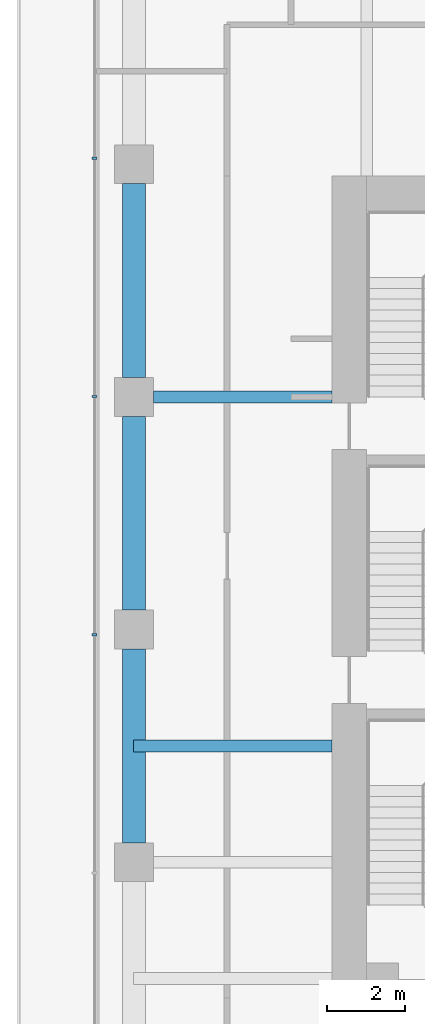
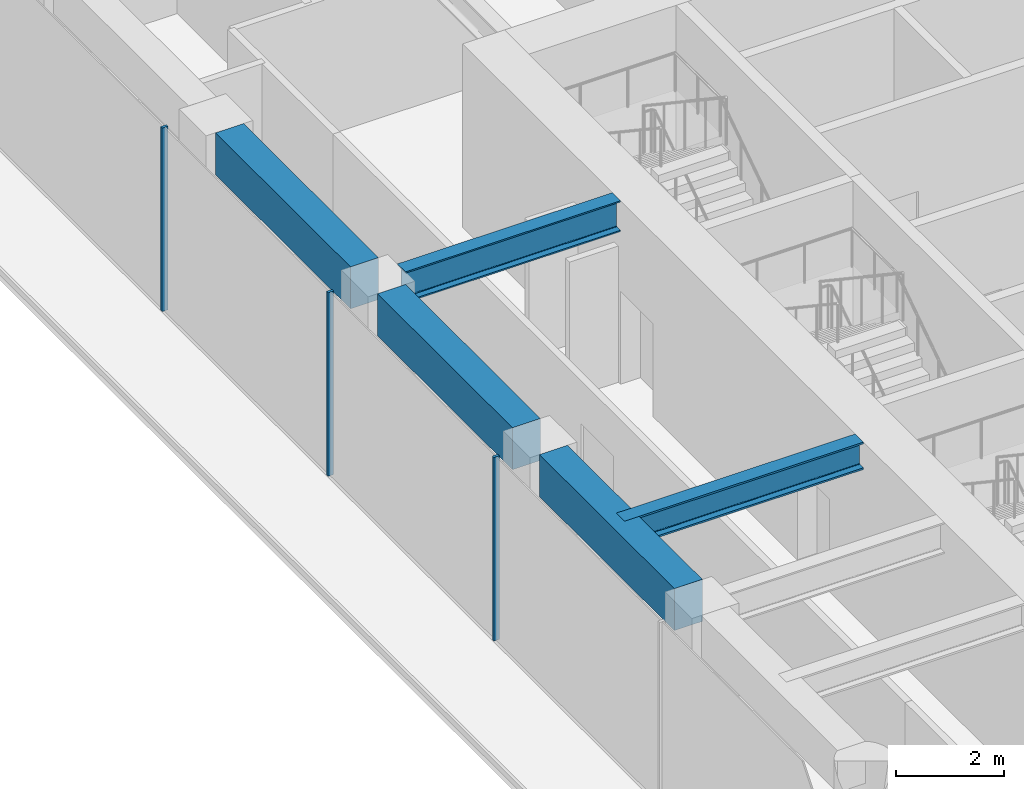
# One storey, part 4 of 24: 5 beams, 3 members, 1 element without a shape of its own.
"""IFC4 building model written with IfcOpenShell, lengths in metres."""

import ifcopenshell
import ifcopenshell.guid

model = None  # the IFC model being written
_history = None  # IfcOwnerHistory: only IFC2X3 demands one
_inside = {}  # id of a spatial element -> (the spatial element, [elements in it])
_under = {}  # id of a project, library or spatial element -> (it, [spatial elements below it])
_declared = {}  # id of a project -> (the project, [libraries it declares])
_typed = {}  # id of a type object -> (the type object, [elements of that type])
_made_of = {}  # id of a material, layer set ... -> (it, [elements and type objects made of it])


def new_model(schema):
    """Start an empty IFC model of exactly this schema.

    Asked for "IFC4X3", IfcOpenShell would pick the latest addendum, in which some entities
    have other attributes; the version numbers below select the first issue.
    IFC2X3 requires an IfcOwnerHistory on every rooted entity: one is made here for all.
    """
    global model, _history
    if schema == "IFC4X3":
        model = ifcopenshell.file(schema_version=(4, 3, 0, 0))
    else:
        model = ifcopenshell.file(schema=schema)
    _inside.clear()
    _under.clear()
    _declared.clear()
    _typed.clear()
    _made_of.clear()
    _history = None
    if model.schema == "IFC2X3":
        org = make("IfcOrganization", Name="unknown")
        user = make(
            "IfcPersonAndOrganization",
            ThePerson=make("IfcPerson", FamilyName="unknown"),
            TheOrganization=org,
        )
        app = make(
            "IfcApplication",
            ApplicationDeveloper=org,
            Version="unknown",
            ApplicationFullName="unknown",
            ApplicationIdentifier="unknown",
        )
        _history = make(
            "IfcOwnerHistory",
            OwningUser=user,
            OwningApplication=app,
            ChangeAction="ADDED",
            CreationDate=0,
        )
    return model


def make(cls, **values):
    """One entity of the class cls with the attributes given. An attribute that is None is left unset."""
    return model.create_entity(
        cls, **{name: value for name, value in values.items() if value is not None}
    )


def rooted(cls, **values):
    """An entity with a GlobalId (a new one), such as an element, a storey or a relation."""
    return make(cls, GlobalId=ifcopenshell.guid.new(), OwnerHistory=_history, **values)


def si_unit(unit_type, name, prefix=None):
    """IfcSIUnit, for example si_unit("LENGTHUNIT", "METRE", prefix="MILLI")."""
    return make("IfcSIUnit", UnitType=unit_type, Prefix=prefix, Name=name)


def assignment(units):
    """IfcUnitAssignment: the units of a project."""
    return None if units is None else make("IfcUnitAssignment", Units=units)


def point(xyz):
    """IfcCartesianPoint."""
    return None if xyz is None else make("IfcCartesianPoint", Coordinates=xyz)


def direction(xyz):
    """IfcDirection."""
    return None if xyz is None else make("IfcDirection", DirectionRatios=xyz)


def frame(location, z_axis=None, x_axis=None):
    """IfcAxis2Placement3D, a coordinate frame: its origin and axes. An axis left out is left unset."""
    return make(
        "IfcAxis2Placement3D",
        Location=point(location),
        Axis=direction(z_axis),
        RefDirection=direction(x_axis),
    )


def frame_2d(location, x_axis=None):
    """IfcAxis2Placement2D, a coordinate frame in the plane: its origin and x axis."""
    return make(
        "IfcAxis2Placement2D", Location=point(location), RefDirection=direction(x_axis)
    )


def origin():
    """The frame at (0, 0, 0) with its axes left unset."""
    return frame((0.0, 0.0, 0.0))


def origin_2d():
    """The frame at (0, 0) in the plane with its x axis left unset."""
    return frame_2d((0.0, 0.0))


def place(relative_to, where):
    """IfcLocalPlacement: puts the frame where relative to a parent placement (None: the world)."""
    return make(
        "IfcLocalPlacement", PlacementRelTo=relative_to, RelativePlacement=where
    )


def context(
    kind, dimensions, precision=None, world=None, true_north=None, identifier=None
):
    """IfcGeometricRepresentationContext, for example the 3D "Model" context."""
    return make(
        "IfcGeometricRepresentationContext",
        ContextIdentifier=identifier,
        ContextType=kind,
        CoordinateSpaceDimension=dimensions,
        Precision=precision,
        WorldCoordinateSystem=world,
        TrueNorth=true_north,
    )


def subcontext(parent, identifier, kind, view, scale=None):
    """IfcGeometricRepresentationSubContext, for example "Body" below "Model"."""
    return make(
        "IfcGeometricRepresentationSubContext",
        ContextIdentifier=identifier,
        ContextType=kind,
        ParentContext=parent,
        TargetScale=scale,
        TargetView=view,
    )


def project(units=None, contexts=None):
    """IfcProject with its units and contexts."""
    return rooted(
        "IfcProject",
        Name="project",
        RepresentationContexts=contexts,
        UnitsInContext=assignment(units),
    )


def spatial(cls, under=None, at=None, **own):
    """A site, building, storey or space (cls), placed at a placement, below another one or the project."""
    s = rooted(cls, ObjectPlacement=at, **own)
    if under is not None:
        _under.setdefault(under.id(), (under, []))[1].append(s)
    return s


def profile(cls, at=None, kind="AREA", **sizes):
    """A parametric profile (cls). Its sizes go by their IFC names, for example OverallWidth=200.0."""
    return make(cls, ProfileType=kind, Position=at, **sizes)


def rectangle(**sizes):
    """IfcRectangleProfileDef."""
    return profile("IfcRectangleProfileDef", **sizes)


def i_section(**sizes):
    """IfcIShapeProfileDef."""
    return profile("IfcIShapeProfileDef", **sizes)


def extrude(swept, where, along, depth):
    """IfcExtrudedAreaSolid: the profile swept, set in the frame where, extruded along a direction by depth."""
    return make(
        "IfcExtrudedAreaSolid",
        SweptArea=swept,
        Position=where,
        ExtrudedDirection=direction(along),
        Depth=depth,
    )


def shape(context_of_items, identifier, shape_type, items):
    """IfcShapeRepresentation: the items that make up one representation, for example the "Body"."""
    return make(
        "IfcShapeRepresentation",
        ContextOfItems=context_of_items,
        RepresentationIdentifier=identifier,
        RepresentationType=shape_type,
        Items=items,
    )


def material(Name=None, Category=None):
    """IfcMaterial."""
    return make("IfcMaterial", Name=Name, Category=Category)


def layer(
    of_material, thickness, ventilated=None, Name=None, Category=None, Priority=None
):
    """IfcMaterialLayer: one layer of a wall or slab, of a material (None: an air gap)."""
    return make(
        "IfcMaterialLayer",
        Material=of_material,
        LayerThickness=thickness,
        IsVentilated=ventilated,
        Name=Name,
        Category=Category,
        Priority=Priority,
    )


def layer_set(layers, Name=None):
    """IfcMaterialLayerSet."""
    return make("IfcMaterialLayerSet", MaterialLayers=layers, LayerSetName=Name)


def material_profile(
    of_material, cross_section, Name=None, Category=None, Priority=None
):
    """IfcMaterialProfile: a cross section and its material."""
    return make(
        "IfcMaterialProfile",
        Name=Name,
        Material=of_material,
        Profile=cross_section,
        Priority=Priority,
        Category=Category,
    )


def profile_set(profiles, Name=None, composite=None):
    """IfcMaterialProfileSet."""
    return make(
        "IfcMaterialProfileSet",
        Name=Name,
        MaterialProfiles=profiles,
        CompositeProfile=composite,
    )


def made_of(thing, what):
    """Note that an element or type object is made of a material, layer set ...; save() writes the relation."""
    if what is not None:
        _made_of.setdefault(what.id(), (what, []))[1].append(thing)
    return thing


def type_object(cls, material=None, **own):
    """A type object (cls), such as IfcWallType, which elements share."""
    return made_of(rooted(cls, **own), material)


def element(
    cls,
    number,
    at=None,
    inside=None,
    cuts=None,
    type_object=None,
    material=None,
    context=None,
    identifier="Body",
    shape_type=None,
    held_by="IfcProductDefinitionShape",
    body=None,
    shapes=None,
    **own,
):
    """One element of the class cls, such as IfcWall. Its Tag is "e" and its number.

    at: its placement. inside: the storey or other place that contains it. cuts: it is an
    opening in that element (IfcRelVoidsElement). A single representation is given by context,
    identifier, shape_type and body (its items); several are given by shapes. held_by: the class
    of the entity that holds the representations. save() writes the other relations.
    """
    e = rooted(cls, Tag="e%d" % number, ObjectPlacement=at, **own)
    if body is not None:
        shapes = [shape(context, identifier, shape_type, body)]
    if shapes is not None:
        e.Representation = make(held_by, Representations=shapes)
    if inside is not None:
        _inside.setdefault(inside.id(), (inside, []))[1].append(e)
    if cuts is not None:
        rooted(
            "IfcRelVoidsElement", RelatingBuildingElement=cuts, RelatedOpeningElement=e
        )
    if type_object is not None:
        _typed.setdefault(type_object.id(), (type_object, []))[1].append(e)
    return made_of(e, material)


def aggregate(whole, parts):
    """IfcRelAggregates: a whole, such as a stair, and the parts it consists of."""
    return rooted("IfcRelAggregates", RelatingObject=whole, RelatedObjects=parts)


def save(model, path):
    """Write the relations noted so far, then the file.

    IfcRelAggregates (storeys below a building ...), IfcRelContainedInSpatialStructure (elements
    in a storey), IfcRelDefinesByType, IfcRelAssociatesMaterial and IfcRelDeclares: one each for
    every whole, place, type object, material and project.
    """
    for whole, parts in _under.values():
        aggregate(whole, parts)
    for where, things in _inside.values():
        rooted(
            "IfcRelContainedInSpatialStructure",
            RelatedElements=things,
            RelatingStructure=where,
        )
    for kind, things in _typed.values():
        rooted("IfcRelDefinesByType", RelatedObjects=things, RelatingType=kind)
    for what, things in _made_of.values():
        rooted("IfcRelAssociatesMaterial", RelatedObjects=things, RelatingMaterial=what)
    for by, libraries in _declared.values():
        rooted("IfcRelDeclares", RelatingContext=by, RelatedDefinitions=libraries)
    model.write(path)


model = new_model("IFC4")

# Units and contexts
model_context = context("Model", 3, precision=1e-05, world=origin(), true_north=direction((0.0, 1.0)))
body_context = subcontext(model_context, "Body", "Model", "MODEL_VIEW")
ifc_project = project(units=[si_unit("LENGTHUNIT", "METRE"), si_unit("AREAUNIT", "SQUARE_METRE"), si_unit("VOLUMEUNIT", "CUBIC_METRE"), si_unit("PLANEANGLEUNIT", "RADIAN"), si_unit("MASSUNIT", "GRAM", prefix="KILO")], contexts=[model_context])

# Site, building, storey
site_placement = place(None, origin())
site = spatial("IfcSite", under=ifc_project, at=site_placement, CompositionType="ELEMENT")
building_placement = place(site_placement, origin())
building = spatial("IfcBuilding", under=site, at=building_placement, Name="Welwitschia Terrace Campus", CompositionType="ELEMENT")
storey_placement = place(building_placement, frame((0.0, 0.0, 20.0)))
storey = spatial("IfcBuildingStorey", under=building, at=storey_placement, Name="L04", CompositionType="ELEMENT", Elevation=20.0)

# Beam
ifc_material_1 = material(Name="Steel S355", Category="steel")
ifc_material_profile_1 = material_profile(ifc_material_1, i_section(OverallWidth=0.304931640625, OverallDepth=0.6201171875, WebThickness=0.02099609375, FlangeThickness=0.0400390625, FilletRadius=0.027099609375, at=origin_2d()))
ifc_profile_set_1 = profile_set([ifc_material_profile_1], Name="Steel S355")
beam_type_1 = type_object("IfcBeamType", Name="Interior girder HE 600 M", PredefinedType="BEAM", material=ifc_profile_set_1)
beam_1_placement = place(storey_placement, frame((-0.010009765625, 11.0, 3.840087890625), z_axis=(1.0, 0.0, 0.0), x_axis=(0.0, 1.0, 0.0)))
element("IfcBeam", 1, at=beam_1_placement, inside=storey, type_object=beam_type_1, Name="Girder GB1", PredefinedType="BEAM", context=body_context, shape_type="SweptSolid", body=[
    extrude(i_section(OverallWidth=0.304931640625, OverallDepth=0.6201171875, WebThickness=0.02099609375, FlangeThickness=0.0400390625, FilletRadius=0.027099609375, at=origin_2d()), origin(), (0.0, 0.0, 1.0), 5.109130859375),
])

# Curtain wall, members
ifc_material_2 = material(Name="Bronze anodised aluminium", Category="aluminium")
ifc_layer = layer(ifc_material_2, 0.1201171875)
ifc_layer_set = layer_set([ifc_layer], Name="Bronze anodised aluminium")
curtain_wall_type = type_object("IfcCurtainWallType", Name="Curtain wall CW2 tower 6000", PredefinedType="NOTDEFINED", material=ifc_layer_set)
curtain_wall_placement = place(storey_placement, origin())
curtain_wall = element("IfcCurtainWall", 2, at=curtain_wall_placement, inside=storey, type_object=curtain_wall_type, Name="CW L04.9.0", PredefinedType="NOTDEFINED")
ifc_material_3 = material(Name="Bronze anodised aluminium", Category="aluminium")
ifc_material_profile_2 = material_profile(ifc_material_3, rectangle(XDim=0.1201171875, YDim=0.06005859375, at=origin_2d()))
ifc_profile_set_2 = profile_set([ifc_material_profile_2], Name="Bronze anodised aluminium")
member_type = type_object("IfcMemberType", Name="Mullion 60x120", PredefinedType="MULLION", material=ifc_profile_set_2)
member_1_placement = place(storey_placement, frame((-1.02001953125, 26.154541015625, 0.0), z_axis=(0.0, 0.0, 1.0), x_axis=(1.0, 0.0, 0.0)))
member_1 = element("IfcMember", 3, at=member_1_placement, type_object=member_type, Name="Mullion L04.9.0.6", PredefinedType="MULLION", context=body_context, shape_type="SweptSolid", body=[
    extrude(rectangle(XDim=0.1201171875, YDim=0.06005859375, at=origin_2d()), origin(), (0.0, 0.0, 1.0), 4.14990234375),
])
member_2_placement = place(storey_placement, frame((-1.02001953125, 20.01025390625, 0.0), z_axis=(0.0, 0.0, 1.0), x_axis=(1.0, 0.0, 0.0)))
member_2 = element("IfcMember", 4, at=member_2_placement, type_object=member_type, Name="Mullion L04.9.0.7", PredefinedType="MULLION", context=body_context, shape_type="SweptSolid", body=[
    extrude(rectangle(XDim=0.1201171875, YDim=0.06005859375, at=origin_2d()), origin(), (0.0, 0.0, 1.0), 4.14990234375),
])
member_3_placement = place(storey_placement, frame((-1.02001953125, 13.865966796875, 0.0), z_axis=(0.0, 0.0, 1.0), x_axis=(1.0, 0.0, 0.0)))
member_3 = element("IfcMember", 5, at=member_3_placement, type_object=member_type, Name="Mullion L04.9.0.8", PredefinedType="MULLION", context=body_context, shape_type="SweptSolid", body=[
    extrude(rectangle(XDim=0.1201171875, YDim=0.06005859375, at=origin_2d()), origin(), (0.0, 0.0, 1.0), 4.14990234375),
])
aggregate(curtain_wall, [member_1, member_2, member_3])

# Beams
ifc_material_4 = material(Name="Steel S355", Category="steel")
ifc_material_profile_3 = material_profile(ifc_material_4, i_section(OverallWidth=0.300048828125, OverallDepth=0.699951171875, WebThickness=0.01708984375, FlangeThickness=0.031982421875, FilletRadius=0.027099609375, at=origin_2d()))
ifc_profile_set_3 = profile_set([ifc_material_profile_3], Name="Steel S355")
beam_type_2 = type_object("IfcBeamType", Name="Primary beam HE 700 B", PredefinedType="BEAM", material=ifc_profile_set_3)
beam_2_placement = place(storey_placement, frame((0.50048828125, 20.0, 3.800048828125), z_axis=(1.0, 0.0, 0.0), x_axis=(0.0, 1.0, 0.0)))
element("IfcBeam", 6, at=beam_2_placement, inside=storey, type_object=beam_type_2, Name="Primary beam PB1", PredefinedType="BEAM", context=body_context, shape_type="SweptSolid", body=[
    extrude(i_section(OverallWidth=0.300048828125, OverallDepth=0.699951171875, WebThickness=0.01708984375, FlangeThickness=0.031982421875, FilletRadius=0.027099609375, at=origin_2d()), origin(), (0.0, 0.0, 1.0), 4.599609375),
])
ifc_material_5 = material(Name="Concrete C60/75", Category="concrete")
ifc_material_profile_4 = material_profile(ifc_material_5, rectangle(XDim=0.60009765625, YDim=0.949951171875, at=origin_2d()))
ifc_profile_set_4 = profile_set([ifc_material_profile_4], Name="Concrete C60/75")
beam_type_3 = type_object("IfcBeamType", Name="Ring spandrel 600x950", PredefinedType="SPANDREL", material=ifc_profile_set_4)
for number, where, z_axis, x_axis, name in (
    (7, (0.0, 25.49951171875, 3.675048828125), (0.0, -1.0, 0.0), (1.0, 0.0, 0.0), "Spandrel SP1"),
    (8, (0.0, 19.49951171875, 3.675048828125), (0.0, -1.0, 0.0), (1.0, 0.0, 0.0), "Spandrel SP1"),
    (9, (0.0, 13.49951171875, 3.675048828125), (0.0, -1.0, 0.0), (1.0, 0.0, 0.0), "Spandrel SP1"),
):
    element("IfcBeam", number, at=place(storey_placement, frame(where, z_axis=z_axis, x_axis=x_axis)), inside=storey, type_object=beam_type_3, Name=name, PredefinedType="SPANDREL", context=body_context, shape_type="SweptSolid", body=[
        extrude(rectangle(XDim=0.60009765625, YDim=0.949951171875, at=origin_2d()), origin(), (0.0, 0.0, 1.0), 4.9990234375),
    ])

save(model, "model.ifc")
